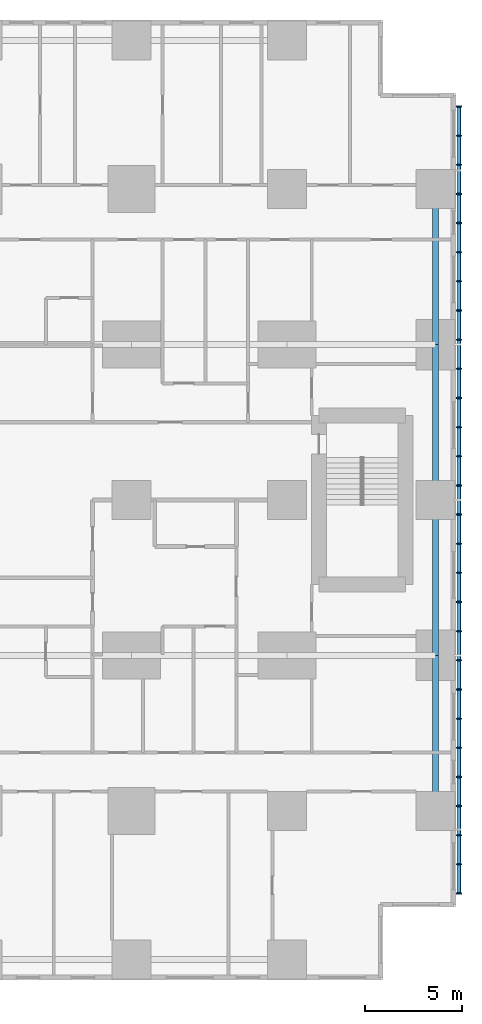
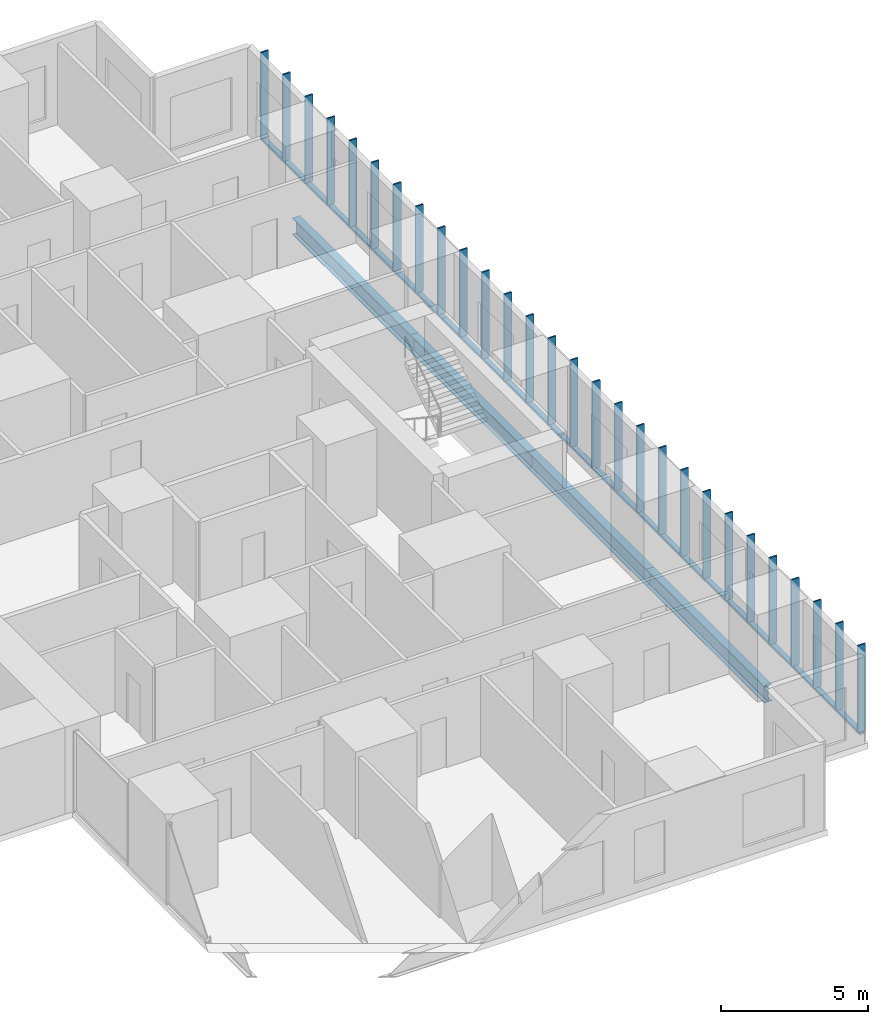
# One storey, part 6 of 20: 32 members, 4 beams.
"""IFC4 building model written with IfcOpenShell, lengths in metres."""

from ifc_helpers import new_model, si_unit, direction, frame, origin, origin_2d, place, context, subcontext, project, spatial, rectangle, hollow_rectangle, i_section, extrude, material, material_profile, profile_set, type_object, element, save


model = new_model("IFC4")

# Units and contexts
model_context = context("Model", 3, precision=1e-05, world=origin(), true_north=direction((0.0, 1.0)))
body_context = subcontext(model_context, "Body", "Model", "MODEL_VIEW")
ifc_project = project(units=[si_unit("LENGTHUNIT", "METRE"), si_unit("AREAUNIT", "SQUARE_METRE"), si_unit("VOLUMEUNIT", "CUBIC_METRE"), si_unit("PLANEANGLEUNIT", "RADIAN"), si_unit("MASSUNIT", "GRAM", prefix="KILO")], contexts=[model_context])

# Site, building, storey
site_placement = place(None, origin())
site = spatial("IfcSite", under=ifc_project, at=site_placement, CompositionType="ELEMENT")
building_placement = place(site_placement, origin())
building = spatial("IfcBuilding", under=site, at=building_placement, Name="Cleftline Residences", CompositionType="ELEMENT")
storey_placement = place(building_placement, frame((0.0, 0.0, 157.39990234375)))
storey = spatial("IfcBuildingStorey", under=building, at=storey_placement, Name="L41", CompositionType="ELEMENT", Elevation=157.39990234375)

# Members
ifc_material_1 = material(Name="Steel S355, hot-dip galvanised", Category="steel")
ifc_material_profile_1 = material_profile(ifc_material_1, hollow_rectangle(XDim=0.10009765625, YDim=0.199951171875, WallThickness=0.008056640625, InnerFilletRadius=0.008056640625, OuterFilletRadius=0.011962890625, at=origin_2d()))
ifc_profile_set_1 = profile_set([ifc_material_profile_1], Name="Steel S355, hot-dip galvanised")
member_type_1 = type_object("IfcMemberType", Name="BAGUETTE CARRIER RHS 200X100X8", PredefinedType="USERDEFINED", material=ifc_profile_set_1)
member_1_placement = place(storey_placement, frame((66.85009765625, 3.699951171875, -0.0498046875), z_axis=(0.0, 1.0, 0.0), x_axis=(0.0, 0.0, 1.0)))
element("IfcMember", 1, at=member_1_placement, inside=storey, type_object=member_type_1, Name="Baguette carrier", ObjectType="BAGUETTE CARRIER", PredefinedType="USERDEFINED", context=body_context, shape_type="SweptSolid", body=[
    extrude(hollow_rectangle(XDim=0.10009765625, YDim=0.199951171875, WallThickness=0.008056640625, InnerFilletRadius=0.008056640625, OuterFilletRadius=0.011962890625, at=origin_2d()), origin(), (0.0, 0.0, 1.0), 12.300048828125),
])
for number, where, z_axis, x_axis, name in (
    (2, (66.85009765625, 16.0, -0.0498046875), (0.0, 1.0, 0.0), (0.0, 0.0, 1.0), "Baguette carrier"),
    (3, (66.85009765625, 24.0, -0.0498046875), (0.0, 1.0, 0.0), (0.0, 0.0, 1.0), "Baguette carrier"),
):
    element("IfcMember", number, at=place(storey_placement, frame(where, z_axis=z_axis, x_axis=x_axis)), inside=storey, type_object=member_type_1, Name=name, ObjectType="BAGUETTE CARRIER", PredefinedType="USERDEFINED", context=body_context, shape_type="SweptSolid", body=[
        extrude(hollow_rectangle(XDim=0.10009765625, YDim=0.199951171875, WallThickness=0.008056640625, InnerFilletRadius=0.008056640625, OuterFilletRadius=0.011962890625, at=origin_2d()), origin(), (0.0, 0.0, 1.0), 8.0),
    ])
member_2_placement = place(storey_placement, frame((66.85009765625, 32.0, -0.0498046875), z_axis=(0.0, 1.0, 0.0), x_axis=(0.0, 0.0, 1.0)))
element("IfcMember", 4, at=member_2_placement, inside=storey, type_object=member_type_1, Name="Baguette carrier", ObjectType="BAGUETTE CARRIER", PredefinedType="USERDEFINED", context=body_context, shape_type="SweptSolid", body=[
    extrude(hollow_rectangle(XDim=0.10009765625, YDim=0.199951171875, WallThickness=0.008056640625, InnerFilletRadius=0.008056640625, OuterFilletRadius=0.011962890625, at=origin_2d()), origin(), (0.0, 0.0, 1.0), 12.300048828125),
])

# Beams
ifc_material_2 = material(Name="Steel S355", Category="steel")
ifc_material_profile_2 = material_profile(ifc_material_2, i_section(OverallWidth=0.300048828125, OverallDepth=0.699951171875, WebThickness=0.01708984375, FlangeThickness=0.031982421875, FilletRadius=0.027099609375, at=origin_2d()))
ifc_profile_set_2 = profile_set([ifc_material_profile_2], Name="Steel S355")
beam_type = type_object("IfcBeamType", Name="BEAM HEB 700", PredefinedType="BEAM", material=ifc_profile_set_2)
for number, where, z_axis, x_axis, name in (
    (5, (65.64990234375, 8.0, -0.599853515625), (0.0, 1.0, 0.0), (-1.0, 0.0, 0.0), "Edge beam"),
    (6, (65.64990234375, 16.0, -0.599853515625), (0.0, 1.0, 0.0), (-1.0, 0.0, 0.0), "Edge beam"),
    (7, (65.64990234375, 24.0, -0.599853515625), (0.0, 1.0, 0.0), (-1.0, 0.0, 0.0), "Edge beam"),
    (8, (65.64990234375, 32.0, -0.599853515625), (0.0, 1.0, 0.0), (-1.0, 0.0, 0.0), "Edge beam"),
):
    element("IfcBeam", number, at=place(storey_placement, frame(where, z_axis=z_axis, x_axis=x_axis)), inside=storey, type_object=beam_type, Name=name, PredefinedType="BEAM", context=body_context, shape_type="SweptSolid", body=[
        extrude(i_section(OverallWidth=0.300048828125, OverallDepth=0.699951171875, WebThickness=0.01708984375, FlangeThickness=0.031982421875, FilletRadius=0.027099609375, at=origin_2d()), origin(), (0.0, 0.0, 1.0), 8.0),
    ])

# Members
ifc_material_3 = material(Name="Extruded terracotta", Category="masonry")
ifc_material_profile_3 = material_profile(ifc_material_3, rectangle(XDim=0.06005859375, YDim=0.300048828125, at=origin_2d()))
ifc_profile_set_3 = profile_set([ifc_material_profile_3], Name="Extruded terracotta")
member_type_2 = type_object("IfcMemberType", Name="TERRACOTTA BAGUETTE 60X300", PredefinedType="USERDEFINED", material=ifc_profile_set_3)
for number, where, z_axis, x_axis, name in (
    (9, (66.85009765625, 3.75, 0.0), (0.0, 0.0, 1.0), (0.0, 1.0, 0.0), "Terracotta baguette"),
    (10, (66.85009765625, 5.25, 0.0), (0.0, 0.0, 1.0), (0.0, 1.0, 0.0), "Terracotta baguette"),
    (11, (66.85009765625, 6.75, 0.0), (0.0, 0.0, 1.0), (0.0, 1.0, 0.0), "Terracotta baguette"),
    (12, (66.85009765625, 8.25, 0.0), (0.0, 0.0, 1.0), (0.0, 1.0, 0.0), "Terracotta baguette"),
    (13, (66.85009765625, 9.75, 0.0), (0.0, 0.0, 1.0), (0.0, 1.0, 0.0), "Terracotta baguette"),
    (14, (66.85009765625, 11.25, 0.0), (0.0, 0.0, 1.0), (0.0, 1.0, 0.0), "Terracotta baguette"),
    (15, (66.85009765625, 12.75, 0.0), (0.0, 0.0, 1.0), (0.0, 1.0, 0.0), "Terracotta baguette"),
    (16, (66.85009765625, 14.25, 0.0), (0.0, 0.0, 1.0), (0.0, 1.0, 0.0), "Terracotta baguette"),
    (17, (66.85009765625, 15.75, 0.0), (0.0, 0.0, 1.0), (0.0, 1.0, 0.0), "Terracotta baguette"),
    (18, (66.85009765625, 17.25, 0.0), (0.0, 0.0, 1.0), (0.0, 1.0, 0.0), "Terracotta baguette"),
    (19, (66.85009765625, 18.75, 0.0), (0.0, 0.0, 1.0), (0.0, 1.0, 0.0), "Terracotta baguette"),
    (20, (66.85009765625, 20.25, 0.0), (0.0, 0.0, 1.0), (0.0, 1.0, 0.0), "Terracotta baguette"),
    (21, (66.85009765625, 21.75, 0.0), (0.0, 0.0, 1.0), (0.0, 1.0, 0.0), "Terracotta baguette"),
    (22, (66.85009765625, 23.25, 0.0), (0.0, 0.0, 1.0), (0.0, 1.0, 0.0), "Terracotta baguette"),
    (23, (66.85009765625, 24.75, 0.0), (0.0, 0.0, 1.0), (0.0, 1.0, 0.0), "Terracotta baguette"),
    (24, (66.85009765625, 26.25, 0.0), (0.0, 0.0, 1.0), (0.0, 1.0, 0.0), "Terracotta baguette"),
    (25, (66.85009765625, 27.75, 0.0), (0.0, 0.0, 1.0), (0.0, 1.0, 0.0), "Terracotta baguette"),
    (26, (66.85009765625, 29.25, 0.0), (0.0, 0.0, 1.0), (0.0, 1.0, 0.0), "Terracotta baguette"),
    (27, (66.85009765625, 30.75, 0.0), (0.0, 0.0, 1.0), (0.0, 1.0, 0.0), "Terracotta baguette"),
    (28, (66.85009765625, 32.25, 0.0), (0.0, 0.0, 1.0), (0.0, 1.0, 0.0), "Terracotta baguette"),
    (29, (66.85009765625, 33.75, 0.0), (0.0, 0.0, 1.0), (0.0, 1.0, 0.0), "Terracotta baguette"),
    (30, (66.85009765625, 35.25, 0.0), (0.0, 0.0, 1.0), (0.0, 1.0, 0.0), "Terracotta baguette"),
    (31, (66.85009765625, 36.75, 0.0), (0.0, 0.0, 1.0), (0.0, 1.0, 0.0), "Terracotta baguette"),
    (32, (66.85009765625, 38.25, 0.0), (0.0, 0.0, 1.0), (0.0, 1.0, 0.0), "Terracotta baguette"),
    (33, (66.85009765625, 39.75, 0.0), (0.0, 0.0, 1.0), (0.0, 1.0, 0.0), "Terracotta baguette"),
    (34, (66.85009765625, 41.25, 0.0), (0.0, 0.0, 1.0), (0.0, 1.0, 0.0), "Terracotta baguette"),
    (35, (66.85009765625, 42.75, 0.0), (0.0, 0.0, 1.0), (0.0, 1.0, 0.0), "Terracotta baguette"),
    (36, (66.85009765625, 44.25, 0.0), (0.0, 0.0, 1.0), (0.0, 1.0, 0.0), "Terracotta baguette"),
):
    element("IfcMember", number, at=place(storey_placement, frame(where, z_axis=z_axis, x_axis=x_axis)), inside=storey, type_object=member_type_2, Name=name, ObjectType="BAGUETTE", PredefinedType="USERDEFINED", context=body_context, shape_type="SweptSolid", body=[
        extrude(rectangle(XDim=0.06005859375, YDim=0.300048828125, at=origin_2d()), origin(), (0.0, 0.0, 1.0), 3.60009765625),
    ])

save(model, "model.ifc")
